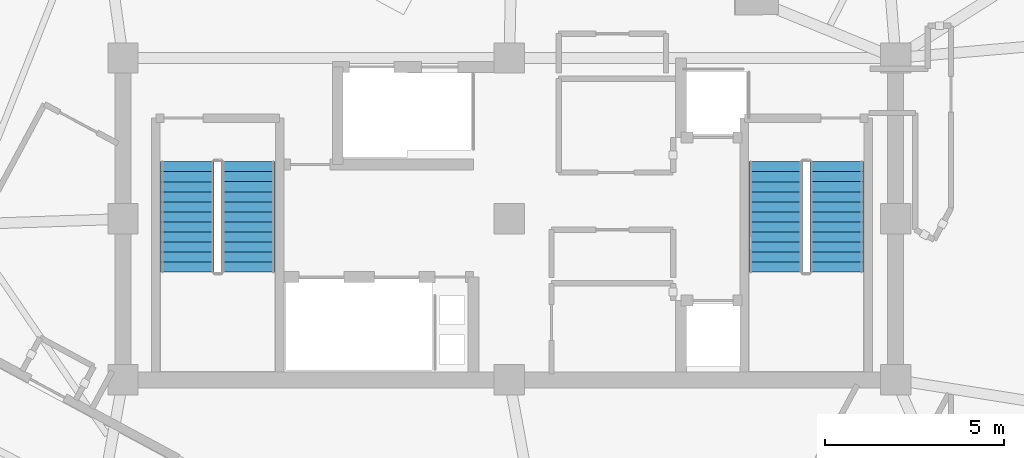
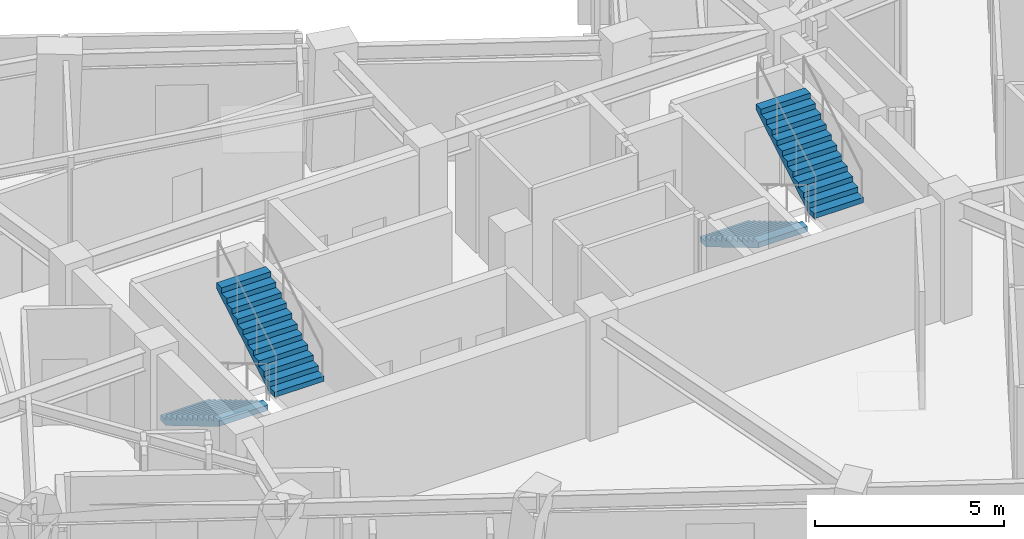
# One storey, part 10 of 14: 4 stair flights, 2 elements without a shape of their own.
"""IFC4 building model written with IfcOpenShell, lengths in metres."""

from ifc_helpers import new_model, si_unit, direction, frame, origin, place, context, subcontext, project, spatial, polyline, outline, extrude, material, type_object, element, aggregate, save


model = new_model("IFC4")

# Units and contexts
model_context = context("Model", 3, precision=1e-05, world=origin(), true_north=direction((0.0, 1.0)))
body_context = subcontext(model_context, "Body", "Model", "MODEL_VIEW")
ifc_project = project(units=[si_unit("LENGTHUNIT", "METRE"), si_unit("AREAUNIT", "SQUARE_METRE"), si_unit("VOLUMEUNIT", "CUBIC_METRE"), si_unit("PLANEANGLEUNIT", "RADIAN"), si_unit("MASSUNIT", "GRAM", prefix="KILO")], contexts=[model_context])

# Site, building, storey
site_placement = place(None, origin())
site = spatial("IfcSite", under=ifc_project, at=site_placement, CompositionType="ELEMENT")
building_placement = place(site_placement, origin())
building = spatial("IfcBuilding", under=site, at=building_placement, Name="Gaonmaruhae Medical Tower", CompositionType="ELEMENT")
storey_placement = place(building_placement, frame((0.0, 0.0, 288.60009765625)))
storey = spatial("IfcBuildingStorey", under=building, at=storey_placement, Name="L69", CompositionType="ELEMENT", Elevation=288.60009765625)

# Stair, stair flights
ifc_material = material(Name="Concrete C40/50", Category="concrete")
stair_type = type_object("IfcStairType", Name="ST-T1 Primary Core Escape Dogleg Stair", PredefinedType="TWO_QUARTER_TURN_STAIR", material=ifc_material)
stair_1_placement = place(storey_placement, origin())
stair_1 = element("IfcStair", 1, at=stair_1_placement, inside=storey, type_object=stair_type, Name="L69 Protected Escape Stair ST-01", PredefinedType="TWO_QUARTER_TURN_STAIR")
stair_flight_type = type_object("IfcStairFlightType", Name="SF-T1 Primary Core Precast Stair Flight", PredefinedType="STRAIGHT", material=ifc_material)
stair_flight_1_placement = place(storey_placement, frame((15.800048828125, 13.89990234375, 0.0), z_axis=(0.0, 0.0, 1.0), x_axis=(0.0, -1.0, 0.0)))
stair_flight_1 = element("IfcStairFlight", 2, at=stair_flight_1_placement, type_object=stair_flight_type, Name="ST-01 flight 1", NumberOfRisers=12, NumberOfTreads=11, PredefinedType="STRAIGHT", RiserHeight=0.166666667, TreadLength=0.28, context=body_context, shape_type="SweptSolid", body=[
    extrude(outline(polyline([(0.0, 0.0), (0.0, 0.166748046875), (0.280029296875, 0.166748046875), (0.280029296875, 0.333251953125), (0.56005859375, 0.333251953125), (0.56005859375, 0.5), (0.840087890625, 0.5), (0.840087890625, 0.666748046875), (1.1201171875, 0.666748046875), (1.1201171875, 0.833251953125), (1.39990234375, 0.833251953125), (1.39990234375, 1.0), (1.679931640625, 1.0), (1.679931640625, 1.166748046875), (1.9599609375, 1.166748046875), (1.9599609375, 1.333251953125), (2.239990234375, 1.333251953125), (2.239990234375, 1.5), (2.52001953125, 1.5), (2.52001953125, 1.666748046875), (2.800048828125, 1.666748046875), (2.800048828125, 1.833251953125), (3.080078125, 1.833251953125), (3.080078125, 2.0), (3.080078125, 1.658935546875), (0.29296875, 0.0), (0.0, 0.0)])), frame((0.0, 0.75, 0.0), z_axis=(0.0, -1.0, 0.0), x_axis=(1.0, 0.0, 0.0)), (0.0, 0.0, 1.0), 1.5),
])
stair_flight_2_placement = place(storey_placement, frame((17.5, 10.820068359375, 2.0), z_axis=(0.0, 0.0, 1.0), x_axis=(0.0, 1.0, 0.0)))
stair_flight_2 = element("IfcStairFlight", 3, at=stair_flight_2_placement, type_object=stair_flight_type, Name="ST-01 flight 2", NumberOfRisers=12, NumberOfTreads=11, PredefinedType="STRAIGHT", RiserHeight=0.166666667, TreadLength=0.28, context=body_context, shape_type="SweptSolid", body=[
    extrude(outline(polyline([(0.0, 0.0), (0.0, 0.166748046875), (0.280029296875, 0.166748046875), (0.280029296875, 0.333251953125), (0.56005859375, 0.333251953125), (0.56005859375, 0.5), (0.840087890625, 0.5), (0.840087890625, 0.666748046875), (1.1201171875, 0.666748046875), (1.1201171875, 0.833251953125), (1.39990234375, 0.833251953125), (1.39990234375, 1.0), (1.679931640625, 1.0), (1.679931640625, 1.166748046875), (1.9599609375, 1.166748046875), (1.9599609375, 1.333251953125), (2.239990234375, 1.333251953125), (2.239990234375, 1.5), (2.52001953125, 1.5), (2.52001953125, 1.666748046875), (2.800048828125, 1.666748046875), (2.800048828125, 1.833251953125), (3.080078125, 1.833251953125), (3.080078125, 2.0), (3.080078125, 1.658935546875), (0.29296875, 0.0), (0.0, 0.0)])), frame((0.0, 0.75, 0.0), z_axis=(0.0, -1.0, 0.0), x_axis=(1.0, 0.0, 0.0)), (0.0, 0.0, 1.0), 1.5),
])
aggregate(stair_1, [stair_flight_1, stair_flight_2])

stair_2_placement = place(storey_placement, origin())
stair_2 = element("IfcStair", 4, at=stair_2_placement, inside=storey, type_object=stair_type, Name="L69 Protected Escape Stair ST-02", PredefinedType="TWO_QUARTER_TURN_STAIR")
stair_flight_3_placement = place(storey_placement, frame((32.25, 13.89990234375, 0.0), z_axis=(0.0, 0.0, 1.0), x_axis=(0.0, -1.0, 0.0)))
stair_flight_3 = element("IfcStairFlight", 5, at=stair_flight_3_placement, type_object=stair_flight_type, Name="ST-02 flight 1", NumberOfRisers=12, NumberOfTreads=11, PredefinedType="STRAIGHT", RiserHeight=0.166666667, TreadLength=0.28, context=body_context, shape_type="SweptSolid", body=[
    extrude(outline(polyline([(0.0, 0.0), (0.0, 0.166748046875), (0.280029296875, 0.166748046875), (0.280029296875, 0.333251953125), (0.56005859375, 0.333251953125), (0.56005859375, 0.5), (0.840087890625, 0.5), (0.840087890625, 0.666748046875), (1.1201171875, 0.666748046875), (1.1201171875, 0.833251953125), (1.39990234375, 0.833251953125), (1.39990234375, 1.0), (1.679931640625, 1.0), (1.679931640625, 1.166748046875), (1.9599609375, 1.166748046875), (1.9599609375, 1.333251953125), (2.239990234375, 1.333251953125), (2.239990234375, 1.5), (2.52001953125, 1.5), (2.52001953125, 1.666748046875), (2.800048828125, 1.666748046875), (2.800048828125, 1.833251953125), (3.080078125, 1.833251953125), (3.080078125, 2.0), (3.080078125, 1.658935546875), (0.29296875, 0.0), (0.0, 0.0)])), frame((0.0, 0.75, 0.0), z_axis=(0.0, -1.0, 0.0), x_axis=(1.0, 0.0, 0.0)), (0.0, 0.0, 1.0), 1.5),
])
stair_flight_4_placement = place(storey_placement, frame((33.949951171875, 10.820068359375, 2.0), z_axis=(0.0, 0.0, 1.0), x_axis=(0.0, 1.0, 0.0)))
stair_flight_4 = element("IfcStairFlight", 6, at=stair_flight_4_placement, type_object=stair_flight_type, Name="ST-02 flight 2", NumberOfRisers=12, NumberOfTreads=11, PredefinedType="STRAIGHT", RiserHeight=0.166666667, TreadLength=0.28, context=body_context, shape_type="SweptSolid", body=[
    extrude(outline(polyline([(0.0, 0.0), (0.0, 0.166748046875), (0.280029296875, 0.166748046875), (0.280029296875, 0.333251953125), (0.56005859375, 0.333251953125), (0.56005859375, 0.5), (0.840087890625, 0.5), (0.840087890625, 0.666748046875), (1.1201171875, 0.666748046875), (1.1201171875, 0.833251953125), (1.39990234375, 0.833251953125), (1.39990234375, 1.0), (1.679931640625, 1.0), (1.679931640625, 1.166748046875), (1.9599609375, 1.166748046875), (1.9599609375, 1.333251953125), (2.239990234375, 1.333251953125), (2.239990234375, 1.5), (2.52001953125, 1.5), (2.52001953125, 1.666748046875), (2.800048828125, 1.666748046875), (2.800048828125, 1.833251953125), (3.080078125, 1.833251953125), (3.080078125, 2.0), (3.080078125, 1.658935546875), (0.29296875, 0.0), (0.0, 0.0)])), frame((0.0, 0.75, 0.0), z_axis=(0.0, -1.0, 0.0), x_axis=(1.0, 0.0, 0.0)), (0.0, 0.0, 1.0), 1.5),
])
aggregate(stair_2, [stair_flight_3, stair_flight_4])

save(model, "model.ifc")
